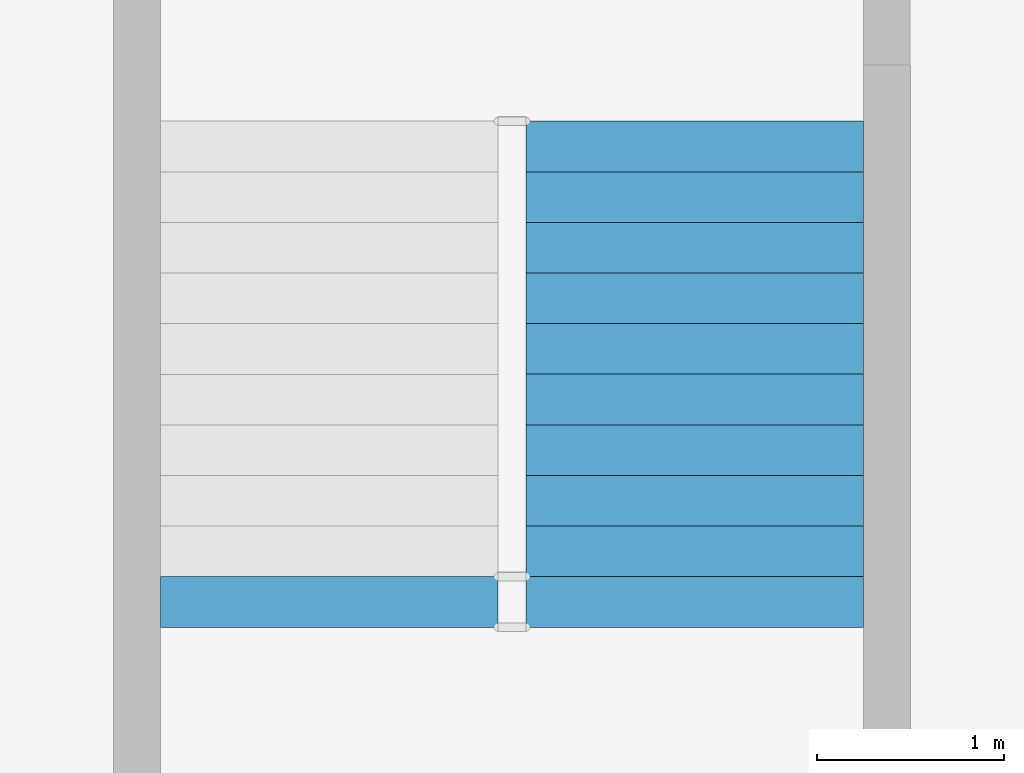
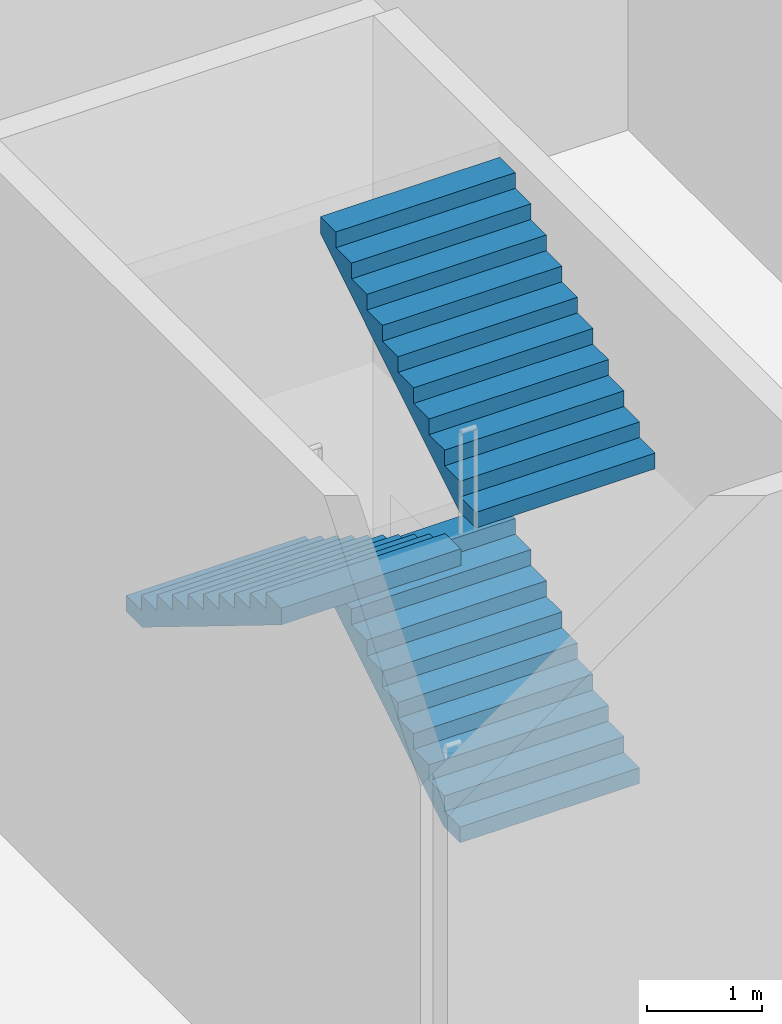
# One storey, part 21 of 30: 3 stair flights, 1 element without a shape of its own.
"""IFC4 building model written with IfcOpenShell, lengths in metres."""

from ifc_helpers import new_model, si_unit, direction, frame, origin, place, context, subcontext, project, spatial, polyline, outline, extrude, material, type_object, element, aggregate, save


model = new_model("IFC4")

# Units and contexts
model_context = context("Model", 3, precision=1e-05, world=origin(), true_north=direction((0.0, 1.0)))
body_context = subcontext(model_context, "Body", "Model", "MODEL_VIEW")
ifc_project = project(units=[si_unit("LENGTHUNIT", "METRE"), si_unit("AREAUNIT", "SQUARE_METRE"), si_unit("VOLUMEUNIT", "CUBIC_METRE"), si_unit("PLANEANGLEUNIT", "RADIAN"), si_unit("MASSUNIT", "GRAM", prefix="KILO")], contexts=[model_context])

# Site, building, storey
site_placement = place(None, origin())
site = spatial("IfcSite", under=ifc_project, at=site_placement, CompositionType="ELEMENT")
building_placement = place(site_placement, origin())
building = spatial("IfcBuilding", under=site, at=building_placement, Name="Isbrekke Arena Tower", CompositionType="ELEMENT")
storey_placement = place(building_placement, frame((0.0, 0.0, -7.0)))
storey = spatial("IfcBuildingStorey", under=building, at=storey_placement, Name="B1", CompositionType="ELEMENT", Elevation=-7.0)

# Stair, stair flights
ifc_material_1 = material(Name="Concrete B45 (C45/55) precast", Category="concrete")
stair_type = type_object("IfcStairType", Name="ST70 STAIR 1800 WIDE, 42 RISERS 167", PredefinedType="HALF_TURN_STAIR", material=ifc_material_1)
stair_placement = place(storey_placement, origin())
stair = element("IfcStair", 1, at=stair_placement, inside=storey, type_object=stair_type, Name="P1 stair B1", PredefinedType="HALF_TURN_STAIR")
ifc_material_2 = material(Name="Concrete B45 (C45/55) precast", Category="concrete")
stair_flight_type = type_object("IfcStairFlightType", Name="SF 1800 FLIGHT", PredefinedType="STRAIGHT", material=ifc_material_2)
stair_flight_1_placement = place(storey_placement, frame((46.97509765625, 33.2451171875, 1.666748046875), z_axis=(0.0, 0.0, 1.0), x_axis=(0.0, 1.0, 0.0)))
stair_flight_1 = element("IfcStairFlight", 2, at=stair_flight_1_placement, type_object=stair_flight_type, Name="P1 flight 2", NumberOfRisers=10, NumberOfTreads=9, PredefinedType="STRAIGHT", RiserHeight=0.166666667, TreadLength=0.27, context=body_context, shape_type="SweptSolid", body=[
    extrude(outline(polyline([(0.0, 0.0), (0.0, 0.166748046875), (0.27001953125, 0.166748046875), (0.27001953125, 0.333251953125), (0.5400390625, 0.333251953125), (0.5400390625, 0.5), (0.81005859375, 0.5), (0.81005859375, 0.666748046875), (1.080078125, 0.666748046875), (1.080078125, 0.833251953125), (1.35009765625, 0.833251953125), (1.35009765625, 1.0), (1.6201171875, 1.0), (1.6201171875, 1.166748046875), (1.889892578125, 1.166748046875), (1.889892578125, 1.333251953125), (2.159912109375, 1.333251953125), (2.159912109375, 1.5), (2.429931640625, 1.5), (2.429931640625, 1.666748046875), (2.429931640625, 1.32373046875), (0.285400390625, 0.0), (0.0, 0.0)])), frame((0.0, 0.89990234375, 0.0), z_axis=(0.0, -1.0, 0.0), x_axis=(1.0, 0.0, 0.0)), (0.0, 0.0, 1.0), 0.90087890625),
    extrude(outline(polyline([(0.0, 0.0), (0.0, 0.166748046875), (0.27001953125, 0.166748046875), (0.27001953125, 0.333251953125), (0.5400390625, 0.333251953125), (0.5400390625, 0.5), (0.81005859375, 0.5), (0.81005859375, 0.666748046875), (1.080078125, 0.666748046875), (1.080078125, 0.833251953125), (1.35009765625, 0.833251953125), (1.35009765625, 1.0), (1.6201171875, 1.0), (1.6201171875, 1.166748046875), (1.889892578125, 1.166748046875), (1.889892578125, 1.333251953125), (2.159912109375, 1.333251953125), (2.159912109375, 1.5), (2.429931640625, 1.5), (2.429931640625, 1.666748046875), (2.429931640625, 1.32373046875), (0.285400390625, 0.0), (0.0, 0.0)])), frame((0.0, 0.0009765625, 0.0), z_axis=(0.0, -1.0, 0.0), x_axis=(1.0, 0.0, 0.0)), (0.0, 0.0, 1.0), 0.90087890625),
])
stair_flight_2_placement = place(storey_placement, frame((45.02490234375, 35.675048828125, 3.333251953125), z_axis=(0.0, 0.0, 1.0), x_axis=(0.0, -1.0, 0.0)))
stair_flight_2 = element("IfcStairFlight", 3, at=stair_flight_2_placement, type_object=stair_flight_type, Name="P1 flight 3", NumberOfRisers=11, NumberOfTreads=10, PredefinedType="STRAIGHT", RiserHeight=0.166666667, TreadLength=0.27, context=body_context, shape_type="SweptSolid", body=[
    extrude(outline(polyline([(0.0, 0.0), (0.0, 0.166748046875), (0.27001953125, 0.166748046875), (0.27001953125, 0.333251953125), (0.5400390625, 0.333251953125), (0.5400390625, 0.5), (0.81005859375, 0.5), (0.81005859375, 0.666748046875), (1.080078125, 0.666748046875), (1.080078125, 0.833251953125), (1.35009765625, 0.833251953125), (1.35009765625, 1.0), (1.6201171875, 1.0), (1.6201171875, 1.166748046875), (1.889892578125, 1.166748046875), (1.889892578125, 1.333251953125), (2.159912109375, 1.333251953125), (2.159912109375, 1.5), (2.429931640625, 1.5), (2.429931640625, 1.666748046875), (2.699951171875, 1.666748046875), (2.699951171875, 1.833251953125), (2.699951171875, 1.490478515625), (0.285400390625, 0.0), (0.0, 0.0)])), frame((0.0, 0.89990234375, 0.0), z_axis=(0.0, -1.0, 0.0), x_axis=(1.0, 0.0, 0.0)), (0.0, 0.0, 1.0), 0.90087890625),
    extrude(outline(polyline([(0.0, 0.0), (0.0, 0.166748046875), (0.27001953125, 0.166748046875), (0.27001953125, 0.333251953125), (0.5400390625, 0.333251953125), (0.5400390625, 0.5), (0.81005859375, 0.5), (0.81005859375, 0.666748046875), (1.080078125, 0.666748046875), (1.080078125, 0.833251953125), (1.35009765625, 0.833251953125), (1.35009765625, 1.0), (1.6201171875, 1.0), (1.6201171875, 1.166748046875), (1.889892578125, 1.166748046875), (1.889892578125, 1.333251953125), (2.159912109375, 1.333251953125), (2.159912109375, 1.5), (2.429931640625, 1.5), (2.429931640625, 1.666748046875), (2.699951171875, 1.666748046875), (2.699951171875, 1.833251953125), (2.699951171875, 1.490478515625), (0.285400390625, 0.0), (0.0, 0.0)])), frame((0.0, 0.0009765625, 0.0), z_axis=(0.0, -1.0, 0.0), x_axis=(1.0, 0.0, 0.0)), (0.0, 0.0, 1.0), 0.90087890625),
])
stair_flight_3_placement = place(storey_placement, frame((46.97509765625, 32.97509765625, 5.166748046875), z_axis=(0.0, 0.0, 1.0), x_axis=(0.0, 1.0, 0.0)))
stair_flight_3 = element("IfcStairFlight", 4, at=stair_flight_3_placement, type_object=stair_flight_type, Name="P1 flight 4", NumberOfRisers=11, NumberOfTreads=10, PredefinedType="STRAIGHT", RiserHeight=0.166666667, TreadLength=0.27, context=body_context, shape_type="SweptSolid", body=[
    extrude(outline(polyline([(0.0, 0.0), (0.0, 0.166748046875), (0.27001953125, 0.166748046875), (0.27001953125, 0.333251953125), (0.5400390625, 0.333251953125), (0.5400390625, 0.5), (0.81005859375, 0.5), (0.81005859375, 0.666748046875), (1.080078125, 0.666748046875), (1.080078125, 0.833251953125), (1.35009765625, 0.833251953125), (1.35009765625, 1.0), (1.6201171875, 1.0), (1.6201171875, 1.166748046875), (1.889892578125, 1.166748046875), (1.889892578125, 1.333251953125), (2.159912109375, 1.333251953125), (2.159912109375, 1.5), (2.429931640625, 1.5), (2.429931640625, 1.666748046875), (2.699951171875, 1.666748046875), (2.699951171875, 1.833251953125), (2.699951171875, 1.490478515625), (0.285400390625, 0.0), (0.0, 0.0)])), frame((0.0, 0.89990234375, 0.0), z_axis=(0.0, -1.0, 0.0), x_axis=(1.0, 0.0, 0.0)), (0.0, 0.0, 1.0), 0.90087890625),
    extrude(outline(polyline([(0.0, 0.0), (0.0, 0.166748046875), (0.27001953125, 0.166748046875), (0.27001953125, 0.333251953125), (0.5400390625, 0.333251953125), (0.5400390625, 0.5), (0.81005859375, 0.5), (0.81005859375, 0.666748046875), (1.080078125, 0.666748046875), (1.080078125, 0.833251953125), (1.35009765625, 0.833251953125), (1.35009765625, 1.0), (1.6201171875, 1.0), (1.6201171875, 1.166748046875), (1.889892578125, 1.166748046875), (1.889892578125, 1.333251953125), (2.159912109375, 1.333251953125), (2.159912109375, 1.5), (2.429931640625, 1.5), (2.429931640625, 1.666748046875), (2.699951171875, 1.666748046875), (2.699951171875, 1.833251953125), (2.699951171875, 1.490478515625), (0.285400390625, 0.0), (0.0, 0.0)])), frame((0.0, 0.0009765625, 0.0), z_axis=(0.0, -1.0, 0.0), x_axis=(1.0, 0.0, 0.0)), (0.0, 0.0, 1.0), 0.90087890625),
])
aggregate(stair, [stair_flight_1, stair_flight_2, stair_flight_3])

save(model, "model.ifc")
